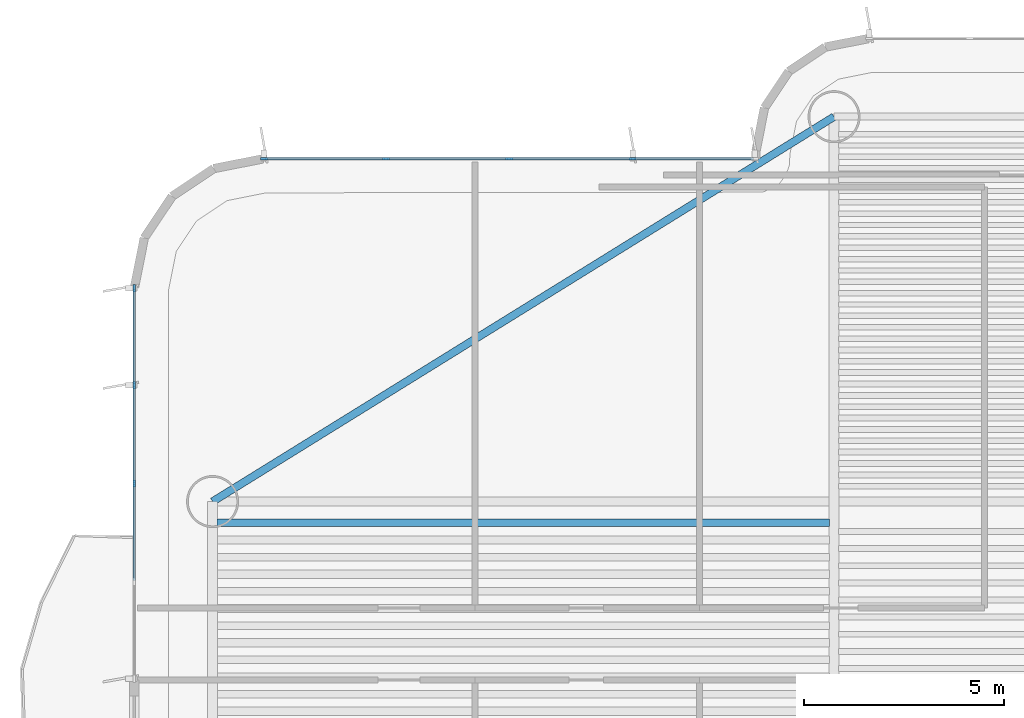
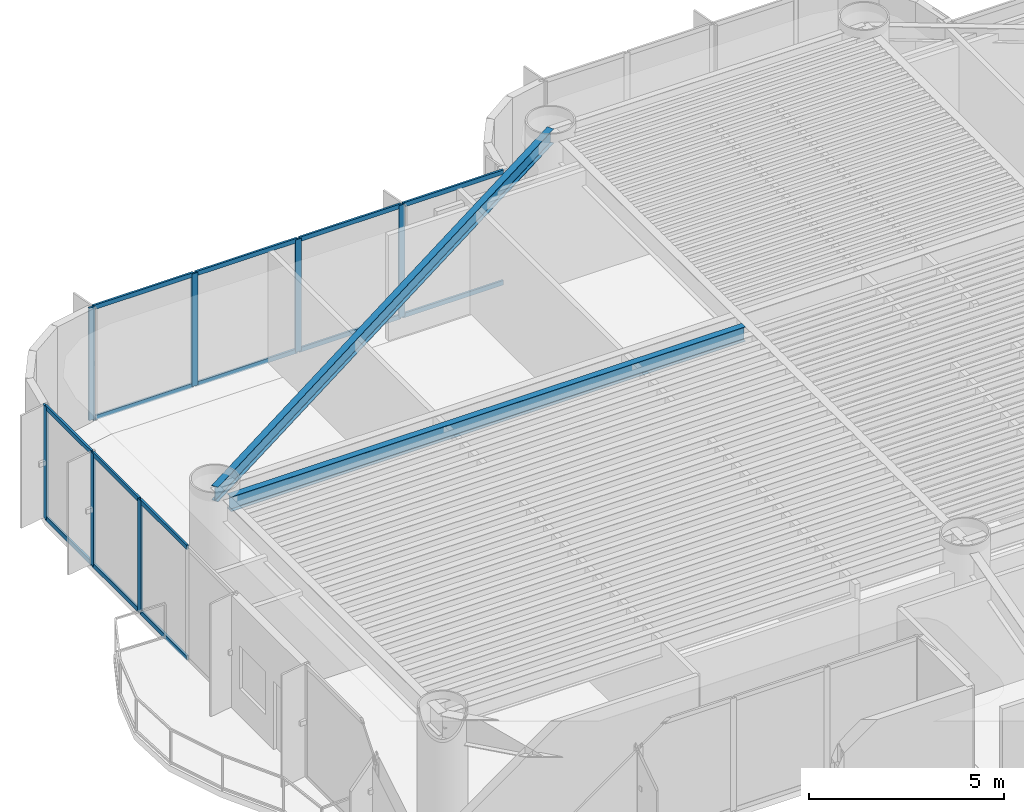
# One storey, part 5 of 16: 21 members, 2 beams, 2 elements without a shape of their own.
"""IFC4 building model written with IfcOpenShell, lengths in metres."""

import ifcopenshell
import ifcopenshell.guid

model = None  # the IFC model being written
_history = None  # IfcOwnerHistory: only IFC2X3 demands one
_inside = {}  # id of a spatial element -> (the spatial element, [elements in it])
_under = {}  # id of a project, library or spatial element -> (it, [spatial elements below it])
_declared = {}  # id of a project -> (the project, [libraries it declares])
_typed = {}  # id of a type object -> (the type object, [elements of that type])
_made_of = {}  # id of a material, layer set ... -> (it, [elements and type objects made of it])


def new_model(schema):
    """Start an empty IFC model of exactly this schema.

    Asked for "IFC4X3", IfcOpenShell would pick the latest addendum, in which some entities
    have other attributes; the version numbers below select the first issue.
    IFC2X3 requires an IfcOwnerHistory on every rooted entity: one is made here for all.
    """
    global model, _history
    if schema == "IFC4X3":
        model = ifcopenshell.file(schema_version=(4, 3, 0, 0))
    else:
        model = ifcopenshell.file(schema=schema)
    _inside.clear()
    _under.clear()
    _declared.clear()
    _typed.clear()
    _made_of.clear()
    _history = None
    if model.schema == "IFC2X3":
        org = make("IfcOrganization", Name="unknown")
        user = make(
            "IfcPersonAndOrganization",
            ThePerson=make("IfcPerson", FamilyName="unknown"),
            TheOrganization=org,
        )
        app = make(
            "IfcApplication",
            ApplicationDeveloper=org,
            Version="unknown",
            ApplicationFullName="unknown",
            ApplicationIdentifier="unknown",
        )
        _history = make(
            "IfcOwnerHistory",
            OwningUser=user,
            OwningApplication=app,
            ChangeAction="ADDED",
            CreationDate=0,
        )
    return model


def make(cls, **values):
    """One entity of the class cls with the attributes given. An attribute that is None is left unset."""
    return model.create_entity(
        cls, **{name: value for name, value in values.items() if value is not None}
    )


def rooted(cls, **values):
    """An entity with a GlobalId (a new one), such as an element, a storey or a relation."""
    return make(cls, GlobalId=ifcopenshell.guid.new(), OwnerHistory=_history, **values)


def si_unit(unit_type, name, prefix=None):
    """IfcSIUnit, for example si_unit("LENGTHUNIT", "METRE", prefix="MILLI")."""
    return make("IfcSIUnit", UnitType=unit_type, Prefix=prefix, Name=name)


def assignment(units):
    """IfcUnitAssignment: the units of a project."""
    return None if units is None else make("IfcUnitAssignment", Units=units)


def point(xyz):
    """IfcCartesianPoint."""
    return None if xyz is None else make("IfcCartesianPoint", Coordinates=xyz)


def direction(xyz):
    """IfcDirection."""
    return None if xyz is None else make("IfcDirection", DirectionRatios=xyz)


def frame(location, z_axis=None, x_axis=None):
    """IfcAxis2Placement3D, a coordinate frame: its origin and axes. An axis left out is left unset."""
    return make(
        "IfcAxis2Placement3D",
        Location=point(location),
        Axis=direction(z_axis),
        RefDirection=direction(x_axis),
    )


def frame_2d(location, x_axis=None):
    """IfcAxis2Placement2D, a coordinate frame in the plane: its origin and x axis."""
    return make(
        "IfcAxis2Placement2D", Location=point(location), RefDirection=direction(x_axis)
    )


def origin():
    """The frame at (0, 0, 0) with its axes left unset."""
    return frame((0.0, 0.0, 0.0))


def origin_2d():
    """The frame at (0, 0) in the plane with its x axis left unset."""
    return frame_2d((0.0, 0.0))


def place(relative_to, where):
    """IfcLocalPlacement: puts the frame where relative to a parent placement (None: the world)."""
    return make(
        "IfcLocalPlacement", PlacementRelTo=relative_to, RelativePlacement=where
    )


def context(
    kind, dimensions, precision=None, world=None, true_north=None, identifier=None
):
    """IfcGeometricRepresentationContext, for example the 3D "Model" context."""
    return make(
        "IfcGeometricRepresentationContext",
        ContextIdentifier=identifier,
        ContextType=kind,
        CoordinateSpaceDimension=dimensions,
        Precision=precision,
        WorldCoordinateSystem=world,
        TrueNorth=true_north,
    )


def subcontext(parent, identifier, kind, view, scale=None):
    """IfcGeometricRepresentationSubContext, for example "Body" below "Model"."""
    return make(
        "IfcGeometricRepresentationSubContext",
        ContextIdentifier=identifier,
        ContextType=kind,
        ParentContext=parent,
        TargetScale=scale,
        TargetView=view,
    )


def project(units=None, contexts=None):
    """IfcProject with its units and contexts."""
    return rooted(
        "IfcProject",
        Name="project",
        RepresentationContexts=contexts,
        UnitsInContext=assignment(units),
    )


def spatial(cls, under=None, at=None, **own):
    """A site, building, storey or space (cls), placed at a placement, below another one or the project."""
    s = rooted(cls, ObjectPlacement=at, **own)
    if under is not None:
        _under.setdefault(under.id(), (under, []))[1].append(s)
    return s


def profile(cls, at=None, kind="AREA", **sizes):
    """A parametric profile (cls). Its sizes go by their IFC names, for example OverallWidth=200.0."""
    return make(cls, ProfileType=kind, Position=at, **sizes)


def rectangle(**sizes):
    """IfcRectangleProfileDef."""
    return profile("IfcRectangleProfileDef", **sizes)


def i_section(**sizes):
    """IfcIShapeProfileDef."""
    return profile("IfcIShapeProfileDef", **sizes)


def extrude(swept, where, along, depth):
    """IfcExtrudedAreaSolid: the profile swept, set in the frame where, extruded along a direction by depth."""
    return make(
        "IfcExtrudedAreaSolid",
        SweptArea=swept,
        Position=where,
        ExtrudedDirection=direction(along),
        Depth=depth,
    )


def shape(context_of_items, identifier, shape_type, items):
    """IfcShapeRepresentation: the items that make up one representation, for example the "Body"."""
    return make(
        "IfcShapeRepresentation",
        ContextOfItems=context_of_items,
        RepresentationIdentifier=identifier,
        RepresentationType=shape_type,
        Items=items,
    )


def source(mapping_origin, context_of_items, identifier, shape_type, items):
    """IfcRepresentationMap: a shape defined once, which mapped items show again and again."""
    return make(
        "IfcRepresentationMap",
        MappingOrigin=mapping_origin,
        MappedRepresentation=shape(context_of_items, identifier, shape_type, items),
    )


def transform(
    local_origin,
    x_axis=None,
    y_axis=None,
    z_axis=None,
    scale=None,
    scale2=None,
    scale3=None,
    uniform=True,
):
    """IfcCartesianTransformationOperator3D, or its non-uniform kind. x_axis, y_axis, z_axis: its Axis1, 2, 3."""
    if uniform:
        return make(
            "IfcCartesianTransformationOperator3D",
            Axis1=direction(x_axis),
            Axis2=direction(y_axis),
            LocalOrigin=point(local_origin),
            Scale=scale,
            Axis3=direction(z_axis),
        )
    return make(
        "IfcCartesianTransformationOperator3DnonUniform",
        Axis1=direction(x_axis),
        Axis2=direction(y_axis),
        LocalOrigin=point(local_origin),
        Scale=scale,
        Axis3=direction(z_axis),
        Scale2=scale2,
        Scale3=scale3,
    )


def mapped(mapping_source, mapping_target):
    """IfcMappedItem: shows the shape of a source again, moved by a transform."""
    return make(
        "IfcMappedItem", MappingSource=mapping_source, MappingTarget=mapping_target
    )


def material(Name=None, Category=None):
    """IfcMaterial."""
    return make("IfcMaterial", Name=Name, Category=Category)


def layer(
    of_material, thickness, ventilated=None, Name=None, Category=None, Priority=None
):
    """IfcMaterialLayer: one layer of a wall or slab, of a material (None: an air gap)."""
    return make(
        "IfcMaterialLayer",
        Material=of_material,
        LayerThickness=thickness,
        IsVentilated=ventilated,
        Name=Name,
        Category=Category,
        Priority=Priority,
    )


def layer_set(layers, Name=None):
    """IfcMaterialLayerSet."""
    return make("IfcMaterialLayerSet", MaterialLayers=layers, LayerSetName=Name)


def material_profile(
    of_material, cross_section, Name=None, Category=None, Priority=None
):
    """IfcMaterialProfile: a cross section and its material."""
    return make(
        "IfcMaterialProfile",
        Name=Name,
        Material=of_material,
        Profile=cross_section,
        Priority=Priority,
        Category=Category,
    )


def profile_set(profiles, Name=None, composite=None):
    """IfcMaterialProfileSet."""
    return make(
        "IfcMaterialProfileSet",
        Name=Name,
        MaterialProfiles=profiles,
        CompositeProfile=composite,
    )


def made_of(thing, what):
    """Note that an element or type object is made of a material, layer set ...; save() writes the relation."""
    if what is not None:
        _made_of.setdefault(what.id(), (what, []))[1].append(thing)
    return thing


def type_object(cls, material=None, **own):
    """A type object (cls), such as IfcWallType, which elements share."""
    return made_of(rooted(cls, **own), material)


def element(
    cls,
    number,
    at=None,
    inside=None,
    cuts=None,
    type_object=None,
    material=None,
    context=None,
    identifier="Body",
    shape_type=None,
    held_by="IfcProductDefinitionShape",
    body=None,
    shapes=None,
    **own,
):
    """One element of the class cls, such as IfcWall. Its Tag is "e" and its number.

    at: its placement. inside: the storey or other place that contains it. cuts: it is an
    opening in that element (IfcRelVoidsElement). A single representation is given by context,
    identifier, shape_type and body (its items); several are given by shapes. held_by: the class
    of the entity that holds the representations. save() writes the other relations.
    """
    e = rooted(cls, Tag="e%d" % number, ObjectPlacement=at, **own)
    if body is not None:
        shapes = [shape(context, identifier, shape_type, body)]
    if shapes is not None:
        e.Representation = make(held_by, Representations=shapes)
    if inside is not None:
        _inside.setdefault(inside.id(), (inside, []))[1].append(e)
    if cuts is not None:
        rooted(
            "IfcRelVoidsElement", RelatingBuildingElement=cuts, RelatedOpeningElement=e
        )
    if type_object is not None:
        _typed.setdefault(type_object.id(), (type_object, []))[1].append(e)
    return made_of(e, material)


def aggregate(whole, parts):
    """IfcRelAggregates: a whole, such as a stair, and the parts it consists of."""
    return rooted("IfcRelAggregates", RelatingObject=whole, RelatedObjects=parts)


def save(model, path):
    """Write the relations noted so far, then the file.

    IfcRelAggregates (storeys below a building ...), IfcRelContainedInSpatialStructure (elements
    in a storey), IfcRelDefinesByType, IfcRelAssociatesMaterial and IfcRelDeclares: one each for
    every whole, place, type object, material and project.
    """
    for whole, parts in _under.values():
        aggregate(whole, parts)
    for where, things in _inside.values():
        rooted(
            "IfcRelContainedInSpatialStructure",
            RelatedElements=things,
            RelatingStructure=where,
        )
    for kind, things in _typed.values():
        rooted("IfcRelDefinesByType", RelatedObjects=things, RelatingType=kind)
    for what, things in _made_of.values():
        rooted("IfcRelAssociatesMaterial", RelatedObjects=things, RelatingMaterial=what)
    for by, libraries in _declared.values():
        rooted("IfcRelDeclares", RelatingContext=by, RelatedDefinitions=libraries)
    model.write(path)


model = new_model("IFC4")

# Units and contexts
model_context = context("Model", 3, precision=1e-05, world=origin(), true_north=direction((0.0, 1.0)))
body_context = subcontext(model_context, "Body", "Model", "MODEL_VIEW")
ifc_project = project(units=[si_unit("LENGTHUNIT", "METRE"), si_unit("AREAUNIT", "SQUARE_METRE"), si_unit("VOLUMEUNIT", "CUBIC_METRE"), si_unit("PLANEANGLEUNIT", "RADIAN"), si_unit("MASSUNIT", "GRAM", prefix="KILO")], contexts=[model_context])

# Site, building, storey
site_placement = place(None, origin())
site = spatial("IfcSite", under=ifc_project, at=site_placement, CompositionType="ELEMENT")
building_placement = place(site_placement, origin())
building = spatial("IfcBuilding", under=site, at=building_placement, Name="Brelvock Crest Care Tower", CompositionType="ELEMENT")
storey_placement = place(building_placement, frame((0.0, 0.0, 123.840087890625)))
storey = spatial("IfcBuildingStorey", under=building, at=storey_placement, Name="L31", CompositionType="ELEMENT", Elevation=123.840087890625)

# Beams
ifc_material_1 = material(Name="Steel Grade 350", Category="steel")
ifc_material_profile_1 = material_profile(ifc_material_1, i_section(OverallWidth=0.19091796875, OverallDepth=0.4599609375, WebThickness=0.010009765625, FlangeThickness=0.01611328125, FilletRadius=0.011474609375, at=origin_2d()), Name="460UB82.1")
ifc_profile_set_1 = profile_set([ifc_material_profile_1], Name="Steel Grade 350")
beam_type_1 = type_object("IfcBeamType", Name="BM-G3", PredefinedType="BEAM", material=ifc_profile_set_1)
shared_shape_1 = source(origin(), body_context, "Body", "SweptSolid", [
    extrude(i_section(OverallWidth=0.19091796875, OverallDepth=0.4599609375, WebThickness=0.010009765625, FlangeThickness=0.01611328125, FilletRadius=0.011474609375, at=origin_2d()), origin(), (0.0, 0.0, 1.0), 15.27001953125),
])
beam_1_placement = place(storey_placement, frame((15.965087890625, 38.317626953125, 3.2998046875), z_axis=(1.0, 0.0, 0.0), x_axis=(0.0, 1.0, 0.0)))
element("IfcBeam", 1, at=beam_1_placement, inside=storey, type_object=beam_type_1, Name="BM-JW-L31-26", PredefinedType="BEAM", context=body_context, shape_type="MappedRepresentation", body=[
    mapped(shared_shape_1, transform((0.0, 0.0, 0.0), x_axis=(1.0, 0.0, 0.0), y_axis=(0.0, 1.0, 0.0), z_axis=(0.0, 0.0, 1.0), scale=1.0)),
])
ifc_material_profile_2 = material_profile(ifc_material_1, i_section(OverallWidth=0.19091796875, OverallDepth=0.4599609375, WebThickness=0.010009765625, FlangeThickness=0.01611328125, FilletRadius=0.011474609375, at=origin_2d()), Name="460UB82.1")
ifc_profile_set_2 = profile_set([ifc_material_profile_2], Name="Steel Grade 350")
beam_type_2 = type_object("IfcBeamType", Name="BM-SP2", PredefinedType="SPANDREL", material=ifc_profile_set_2)
shared_shape_2 = source(origin(), body_context, "Body", "SweptSolid", [
    extrude(i_section(OverallWidth=0.19091796875, OverallDepth=0.4599609375, WebThickness=0.010009765625, FlangeThickness=0.01611328125, FilletRadius=0.011474609375, at=origin_2d()), origin(), (0.0, 0.0, 1.0), 18.23193359375),
])
beam_2_placement = place(storey_placement, frame((15.85009765625, 38.85009765625, 3.2998046875), z_axis=(0.85015183248, 0.526537616635, 0.0), x_axis=(-0.526537616635, 0.85015183248, 0.0)))
element("IfcBeam", 2, at=beam_2_placement, inside=storey, type_object=beam_type_2, Name="BM-TWR-L31-06", PredefinedType="SPANDREL", context=body_context, shape_type="MappedRepresentation", body=[
    mapped(shared_shape_2, transform((0.0, 0.0, 0.0), x_axis=(1.0, 0.0, 0.0), y_axis=(0.0, 1.0, 0.0), z_axis=(0.0, 0.0, 1.0), scale=1.0)),
])

# Curtain wall, members
ifc_material_2 = material(Name="Dark Glass Double Glazed Low-E", Category="glass")
ifc_layer = layer(ifc_material_2, 0.2099609375, Name="CWS-3")
ifc_layer_set = layer_set([ifc_layer], Name="Dark Glass Double Glazed Low-E")
curtain_wall_type = type_object("IfcCurtainWallType", Name="CWS-3", PredefinedType="NOTDEFINED", material=ifc_layer_set)
curtain_wall_1_placement = place(storey_placement, origin())
curtain_wall_1 = element("IfcCurtainWall", 3, at=curtain_wall_1_placement, inside=storey, type_object=curtain_wall_type, Name="L31 Curtain Wall E17B", PredefinedType="NOTDEFINED")
ifc_material_3 = material(Name="Aluminium 6063-T6", Category="aluminium")
ifc_material_profile_3 = material_profile(ifc_material_3, rectangle(XDim=0.06005859375, YDim=0.179931640625, at=origin_2d()), Name="ALU60x180")
ifc_profile_set_3 = profile_set([ifc_material_profile_3], Name="Aluminium 6063-T6")
member_type_1 = type_object("IfcMemberType", Name="CWM-2", PredefinedType="MULLION", material=ifc_profile_set_3)
shared_shape_3 = source(origin(), body_context, "Body", "SweptSolid", [
    extrude(rectangle(XDim=0.06005859375, YDim=0.179931640625, at=origin_2d()), origin(), (0.0, 0.0, 1.0), 3.530029296875),
])
member_1_placement = place(storey_placement, frame((13.89990234375, 39.300048828125, 0.0), z_axis=(0.0, 0.0, 1.0), x_axis=(-1.0, 0.0, 0.0)))
member_1 = element("IfcMember", 4, at=member_1_placement, type_object=member_type_1, Name="CW-3 mullion 3", PredefinedType="MULLION", context=body_context, shape_type="MappedRepresentation", body=[
    mapped(shared_shape_3, transform((0.0, 0.0, 0.0), x_axis=(1.0, 0.0, 0.0), y_axis=(0.0, 1.0, 0.0), z_axis=(0.0, 0.0, 1.0), scale=1.0)),
])
member_2_placement = place(storey_placement, frame((13.89990234375, 41.75, 0.0), z_axis=(0.0, 0.0, 1.0), x_axis=(-1.0, 0.0, 0.0)))
member_2 = element("IfcMember", 5, at=member_2_placement, type_object=member_type_1, Name="CW-3 mullion 4", PredefinedType="MULLION", context=body_context, shape_type="MappedRepresentation", body=[
    mapped(shared_shape_3, transform((0.0, 0.0, 0.0), x_axis=(1.0, 0.0, 0.0), y_axis=(0.0, 1.0, 0.0), z_axis=(0.0, 0.0, 1.0), scale=1.0)),
])
member_3_placement = place(storey_placement, frame((13.89990234375, 44.169921875, 0.0), z_axis=(0.0, 0.0, 1.0), x_axis=(-1.0, 0.0, 0.0)))
member_3 = element("IfcMember", 6, at=member_3_placement, type_object=member_type_1, Name="CW-3 mullion 5", PredefinedType="MULLION", context=body_context, shape_type="MappedRepresentation", body=[
    mapped(shared_shape_3, transform((0.0, 0.0, 0.0), x_axis=(1.0, 0.0, 0.0), y_axis=(0.0, 1.0, 0.0), z_axis=(0.0, 0.0, 1.0), scale=1.0)),
])

curtain_wall_2_placement = place(storey_placement, origin())
curtain_wall_2 = element("IfcCurtainWall", 7, at=curtain_wall_2_placement, inside=storey, type_object=curtain_wall_type, Name="L31 Curtain Wall E22", PredefinedType="NOTDEFINED")
member_4_placement = place(storey_placement, frame((17.1298828125, 47.39990234375, 0.0), z_axis=(0.0, 0.0, 1.0), x_axis=(0.0, 1.0, 0.0)))
member_4 = element("IfcMember", 8, at=member_4_placement, type_object=member_type_1, Name="CW-3 mullion 1", PredefinedType="MULLION", context=body_context, shape_type="MappedRepresentation", body=[
    mapped(shared_shape_3, transform((0.0, 0.0, 0.0), x_axis=(1.0, 0.0, 0.0), y_axis=(0.0, 1.0, 0.0), z_axis=(0.0, 0.0, 1.0), scale=1.0)),
])
member_5_placement = place(storey_placement, frame((20.175048828125, 47.39990234375, 0.0), z_axis=(0.0, 0.0, 1.0), x_axis=(0.0, 1.0, 0.0)))
member_5 = element("IfcMember", 9, at=member_5_placement, type_object=member_type_1, Name="CW-3 mullion 2", PredefinedType="MULLION", context=body_context, shape_type="MappedRepresentation", body=[
    mapped(shared_shape_3, transform((0.0, 0.0, 0.0), x_axis=(1.0, 0.0, 0.0), y_axis=(0.0, 1.0, 0.0), z_axis=(0.0, 0.0, 1.0), scale=1.0)),
])
member_6_placement = place(storey_placement, frame((23.25, 47.39990234375, 0.0), z_axis=(0.0, 0.0, 1.0), x_axis=(0.0, 1.0, 0.0)))
member_6 = element("IfcMember", 10, at=member_6_placement, type_object=member_type_1, Name="CW-3 mullion 3", PredefinedType="MULLION", context=body_context, shape_type="MappedRepresentation", body=[
    mapped(shared_shape_3, transform((0.0, 0.0, 0.0), x_axis=(1.0, 0.0, 0.0), y_axis=(0.0, 1.0, 0.0), z_axis=(0.0, 0.0, 1.0), scale=1.0)),
])
member_7_placement = place(storey_placement, frame((26.324951171875, 47.39990234375, 0.0), z_axis=(0.0, 0.0, 1.0), x_axis=(0.0, 1.0, 0.0)))
member_7 = element("IfcMember", 11, at=member_7_placement, type_object=member_type_1, Name="CW-3 mullion 4", PredefinedType="MULLION", context=body_context, shape_type="MappedRepresentation", body=[
    mapped(shared_shape_3, transform((0.0, 0.0, 0.0), x_axis=(1.0, 0.0, 0.0), y_axis=(0.0, 1.0, 0.0), z_axis=(0.0, 0.0, 1.0), scale=1.0)),
])
ifc_material_profile_4 = material_profile(ifc_material_3, rectangle(XDim=0.06005859375, YDim=0.139892578125, at=origin_2d()), Name="ALU60x140")
ifc_profile_set_4 = profile_set([ifc_material_profile_4], Name="Aluminium 6063-T6")
member_type_2 = type_object("IfcMemberType", Name="CWT-2", PredefinedType="USERDEFINED", material=ifc_profile_set_4)
shared_shape_4 = source(origin(), body_context, "Body", "SweptSolid", [
    extrude(rectangle(XDim=0.06005859375, YDim=0.139892578125, at=origin_2d()), origin(), (0.0, 0.0, 1.0), 2.985107421875),
])
member_8_placement = place(storey_placement, frame((17.159912109375, 47.39990234375, 0.030029296875), z_axis=(1.0, 0.0, 0.0), x_axis=(0.0, 1.0, 0.0)))
member_8 = element("IfcMember", 12, at=member_8_placement, type_object=member_type_2, Name="CW-3 transom 1.1", ObjectType="TRANSOM", PredefinedType="USERDEFINED", context=body_context, shape_type="MappedRepresentation", body=[
    mapped(shared_shape_4, transform((0.0, 0.0, 0.0), x_axis=(1.0, 0.0, 0.0), y_axis=(0.0, 1.0, 0.0), z_axis=(0.0, 0.0, 1.0), scale=1.0)),
])
member_9_placement = place(storey_placement, frame((17.159912109375, 47.39990234375, 3.5), z_axis=(1.0, 0.0, 0.0), x_axis=(0.0, 1.0, 0.0)))
member_9 = element("IfcMember", 13, at=member_9_placement, type_object=member_type_2, Name="CW-3 transom 1.2", ObjectType="TRANSOM", PredefinedType="USERDEFINED", context=body_context, shape_type="MappedRepresentation", body=[
    mapped(shared_shape_4, transform((0.0, 0.0, 0.0), x_axis=(1.0, 0.0, 0.0), y_axis=(0.0, 1.0, 0.0), z_axis=(0.0, 0.0, 1.0), scale=1.0)),
])
member_10_placement = place(storey_placement, frame((26.35498046875, 47.39990234375, 0.030029296875), z_axis=(1.0, 0.0, 0.0), x_axis=(0.0, 1.0, 0.0)))
member_10 = element("IfcMember", 14, at=member_10_placement, type_object=member_type_2, Name="CW-3 transom 4.1", ObjectType="TRANSOM", PredefinedType="USERDEFINED", context=body_context, shape_type="MappedRepresentation", body=[
    mapped(shared_shape_4, transform((0.0, 0.0, 0.0), x_axis=(1.0, 0.0, 0.0), y_axis=(0.0, 1.0, 0.0), z_axis=(0.0, 0.0, 1.0), scale=1.0)),
])
member_11_placement = place(storey_placement, frame((26.35498046875, 47.39990234375, 3.5), z_axis=(1.0, 0.0, 0.0), x_axis=(0.0, 1.0, 0.0)))
member_11 = element("IfcMember", 15, at=member_11_placement, type_object=member_type_2, Name="CW-3 transom 4.2", ObjectType="TRANSOM", PredefinedType="USERDEFINED", context=body_context, shape_type="MappedRepresentation", body=[
    mapped(shared_shape_4, transform((0.0, 0.0, 0.0), x_axis=(1.0, 0.0, 0.0), y_axis=(0.0, 1.0, 0.0), z_axis=(0.0, 0.0, 1.0), scale=1.0)),
])
shared_shape_5 = source(origin(), body_context, "Body", "SweptSolid", [
    extrude(rectangle(XDim=0.06005859375, YDim=0.139892578125, at=origin_2d()), origin(), (0.0, 0.0, 1.0), 3.014892578125),
])
member_12_placement = place(storey_placement, frame((20.205078125, 47.39990234375, 0.030029296875), z_axis=(1.0, 0.0, 0.0), x_axis=(0.0, 1.0, 0.0)))
member_12 = element("IfcMember", 16, at=member_12_placement, type_object=member_type_2, Name="CW-3 transom 2.1", ObjectType="TRANSOM", PredefinedType="USERDEFINED", context=body_context, shape_type="MappedRepresentation", body=[
    mapped(shared_shape_5, transform((0.0, 0.0, 0.0), x_axis=(1.0, 0.0, 0.0), y_axis=(0.0, 1.0, 0.0), z_axis=(0.0, 0.0, 1.0), scale=1.0)),
])
member_13_placement = place(storey_placement, frame((20.205078125, 47.39990234375, 3.5), z_axis=(1.0, 0.0, 0.0), x_axis=(0.0, 1.0, 0.0)))
member_13 = element("IfcMember", 17, at=member_13_placement, type_object=member_type_2, Name="CW-3 transom 2.2", ObjectType="TRANSOM", PredefinedType="USERDEFINED", context=body_context, shape_type="MappedRepresentation", body=[
    mapped(shared_shape_5, transform((0.0, 0.0, 0.0), x_axis=(1.0, 0.0, 0.0), y_axis=(0.0, 1.0, 0.0), z_axis=(0.0, 0.0, 1.0), scale=1.0)),
])
member_14_placement = place(storey_placement, frame((23.280029296875, 47.39990234375, 0.030029296875), z_axis=(1.0, 0.0, 0.0), x_axis=(0.0, 1.0, 0.0)))
member_14 = element("IfcMember", 18, at=member_14_placement, type_object=member_type_2, Name="CW-3 transom 3.1", ObjectType="TRANSOM", PredefinedType="USERDEFINED", context=body_context, shape_type="MappedRepresentation", body=[
    mapped(shared_shape_5, transform((0.0, 0.0, 0.0), x_axis=(1.0, 0.0, 0.0), y_axis=(0.0, 1.0, 0.0), z_axis=(0.0, 0.0, 1.0), scale=1.0)),
])
member_15_placement = place(storey_placement, frame((23.280029296875, 47.39990234375, 3.5), z_axis=(1.0, 0.0, 0.0), x_axis=(0.0, 1.0, 0.0)))
member_15 = element("IfcMember", 19, at=member_15_placement, type_object=member_type_2, Name="CW-3 transom 3.2", ObjectType="TRANSOM", PredefinedType="USERDEFINED", context=body_context, shape_type="MappedRepresentation", body=[
    mapped(shared_shape_5, transform((0.0, 0.0, 0.0), x_axis=(1.0, 0.0, 0.0), y_axis=(0.0, 1.0, 0.0), z_axis=(0.0, 0.0, 1.0), scale=1.0)),
])
aggregate(curtain_wall_2, [member_4, member_5, member_6, member_7, member_8, member_9, member_12, member_13, member_14, member_15, member_10, member_11])

# Member
shared_shape_6 = source(origin(), body_context, "Body", "SweptSolid", [
    extrude(rectangle(XDim=0.06005859375, YDim=0.139892578125, at=origin_2d()), origin(), (0.0, 0.0, 1.0), 2.39013671875),
])
member_16_placement = place(storey_placement, frame((13.89990234375, 36.8798828125, 0.030029296875), z_axis=(0.0, 1.0, 0.0), x_axis=(-1.0, 0.0, 0.0)))
member_16 = element("IfcMember", 20, at=member_16_placement, type_object=member_type_2, Name="CW-3 transom 2.1", ObjectType="TRANSOM", PredefinedType="USERDEFINED", context=body_context, shape_type="MappedRepresentation", body=[
    mapped(shared_shape_6, transform((0.0, 0.0, 0.0), x_axis=(1.0, 0.0, 0.0), y_axis=(0.0, 1.0, 0.0), z_axis=(0.0, 0.0, 1.0), scale=1.0)),
])

member_17_placement = place(storey_placement, frame((13.89990234375, 36.8798828125, 3.5), z_axis=(0.0, 1.0, 0.0), x_axis=(-1.0, 0.0, 0.0)))
member_17 = element("IfcMember", 21, at=member_17_placement, type_object=member_type_2, Name="CW-3 transom 2.2", ObjectType="TRANSOM", PredefinedType="USERDEFINED", context=body_context, shape_type="MappedRepresentation", body=[
    mapped(shared_shape_6, transform((0.0, 0.0, 0.0), x_axis=(1.0, 0.0, 0.0), y_axis=(0.0, 1.0, 0.0), z_axis=(0.0, 0.0, 1.0), scale=1.0)),
])

shared_shape_7 = source(origin(), body_context, "Body", "SweptSolid", [
    extrude(rectangle(XDim=0.06005859375, YDim=0.139892578125, at=origin_2d()), origin(), (0.0, 0.0, 1.0), 2.389892578125),
])
member_18_placement = place(storey_placement, frame((13.89990234375, 39.330078125, 0.030029296875), z_axis=(0.0, 1.0, 0.0), x_axis=(-1.0, 0.0, 0.0)))
member_18 = element("IfcMember", 22, at=member_18_placement, type_object=member_type_2, Name="CW-3 transom 3.1", ObjectType="TRANSOM", PredefinedType="USERDEFINED", context=body_context, shape_type="MappedRepresentation", body=[
    mapped(shared_shape_7, transform((0.0, 0.0, 0.0), x_axis=(1.0, 0.0, 0.0), y_axis=(0.0, 1.0, 0.0), z_axis=(0.0, 0.0, 1.0), scale=1.0)),
])

member_19_placement = place(storey_placement, frame((13.89990234375, 39.330078125, 3.5), z_axis=(0.0, 1.0, 0.0), x_axis=(-1.0, 0.0, 0.0)))
member_19 = element("IfcMember", 23, at=member_19_placement, type_object=member_type_2, Name="CW-3 transom 3.2", ObjectType="TRANSOM", PredefinedType="USERDEFINED", context=body_context, shape_type="MappedRepresentation", body=[
    mapped(shared_shape_7, transform((0.0, 0.0, 0.0), x_axis=(1.0, 0.0, 0.0), y_axis=(0.0, 1.0, 0.0), z_axis=(0.0, 0.0, 1.0), scale=1.0)),
])

shared_shape_8 = source(origin(), body_context, "Body", "SweptSolid", [
    extrude(rectangle(XDim=0.06005859375, YDim=0.139892578125, at=origin_2d()), origin(), (0.0, 0.0, 1.0), 2.35986328125),
])
member_20_placement = place(storey_placement, frame((13.89990234375, 41.780029296875, 0.030029296875), z_axis=(0.0, 1.0, 0.0), x_axis=(-1.0, 0.0, 0.0)))
member_20 = element("IfcMember", 24, at=member_20_placement, type_object=member_type_2, Name="CW-3 transom 4.1", ObjectType="TRANSOM", PredefinedType="USERDEFINED", context=body_context, shape_type="MappedRepresentation", body=[
    mapped(shared_shape_8, transform((0.0, 0.0, 0.0), x_axis=(1.0, 0.0, 0.0), y_axis=(0.0, 1.0, 0.0), z_axis=(0.0, 0.0, 1.0), scale=1.0)),
])

member_21_placement = place(storey_placement, frame((13.89990234375, 41.780029296875, 3.5), z_axis=(0.0, 1.0, 0.0), x_axis=(-1.0, 0.0, 0.0)))
member_21 = element("IfcMember", 25, at=member_21_placement, type_object=member_type_2, Name="CW-3 transom 4.2", ObjectType="TRANSOM", PredefinedType="USERDEFINED", context=body_context, shape_type="MappedRepresentation", body=[
    mapped(shared_shape_8, transform((0.0, 0.0, 0.0), x_axis=(1.0, 0.0, 0.0), y_axis=(0.0, 1.0, 0.0), z_axis=(0.0, 0.0, 1.0), scale=1.0)),
])

aggregate(curtain_wall_1, [member_1, member_2, member_3, member_16, member_17, member_18, member_19, member_20, member_21])

save(model, "model.ifc")
